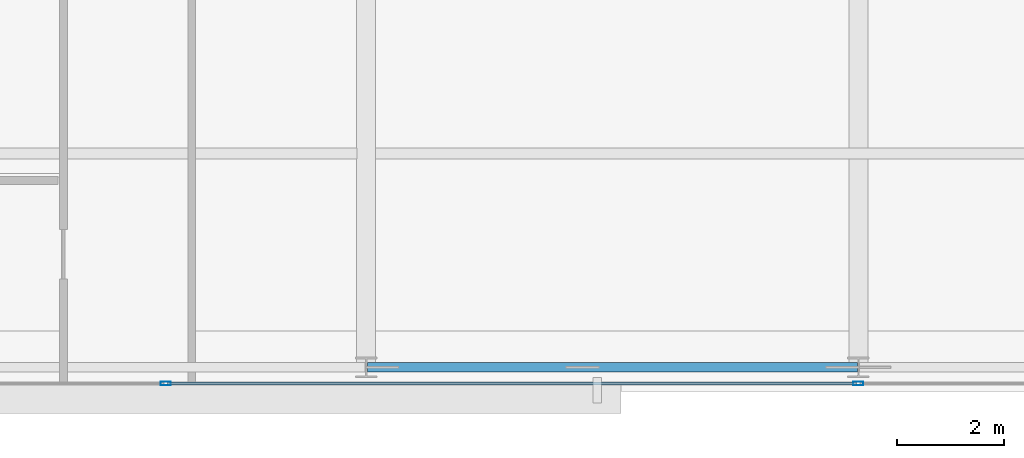
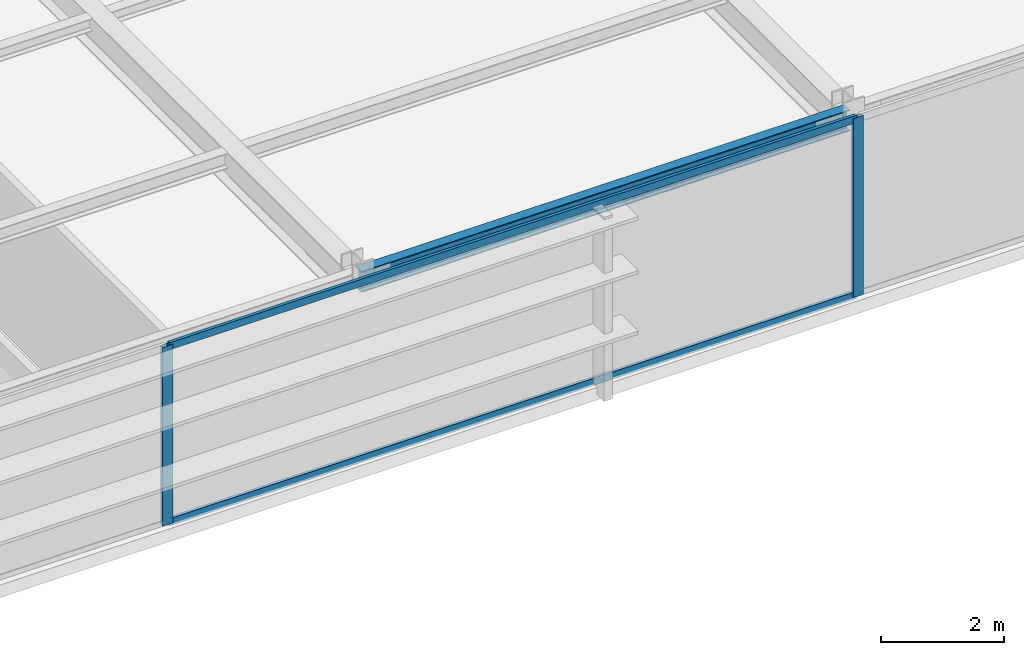
# One storey, part 8 of 32: 4 members, 1 beam, 1 element without a shape of its own.
"""IFC4 building model written with IfcOpenShell, lengths in metres."""

from ifc_helpers import new_model, si_unit, direction, frame, origin, origin_2d, place, context, subcontext, project, spatial, hollow_rectangle, i_section, extrude, source, transform, mapped, material, layer, layer_set, material_profile, profile_set, type_object, type_shapes, element, aggregate, save


model = new_model("IFC4")

# Units and contexts
model_context = context("Model", 3, precision=1e-05, world=origin(), true_north=direction((0.0, 1.0)))
body_context = subcontext(model_context, "Body", "Model", "MODEL_VIEW")
ifc_project = project(units=[si_unit("LENGTHUNIT", "METRE"), si_unit("AREAUNIT", "SQUARE_METRE"), si_unit("VOLUMEUNIT", "CUBIC_METRE"), si_unit("PLANEANGLEUNIT", "RADIAN"), si_unit("MASSUNIT", "GRAM", prefix="KILO")], contexts=[model_context])

# Site, building, storey
site_placement = place(None, origin())
site = spatial("IfcSite", under=ifc_project, at=site_placement, CompositionType="ELEMENT")
building_placement = place(site_placement, origin())
building = spatial("IfcBuilding", under=site, at=building_placement, Name="Varnel Quay Broadcast Tower", CompositionType="ELEMENT")
storey_placement = place(building_placement, frame((0.0, 0.0, 90.800048828125)))
storey = spatial("IfcBuildingStorey", under=building, at=storey_placement, Name="L21", CompositionType="ELEMENT", Elevation=90.800048828125)

# Beam
ifc_material_1 = material(Name="Structural Steel CSA G40.21 350W", Category="steel")
ifc_material_profile_1 = material_profile(ifc_material_1, i_section(OverallWidth=0.180908203125, OverallDepth=0.4169921875, WebThickness=0.010986328125, FlangeThickness=0.018310546875, FilletRadius=0.011962890625, at=origin_2d()), Name="W410X85")
ifc_profile_set_1 = profile_set([ifc_material_profile_1], Name="Structural Steel CSA G40.21 350W")
beam_type = type_object("IfcBeamType", Name="Beam_W410X85", PredefinedType="SPANDREL", material=ifc_profile_set_1)
shared_shape_1 = source(origin(), body_context, "Body", "SweptSolid", [
    extrude(i_section(OverallWidth=0.180908203125, OverallDepth=0.4169921875, WebThickness=0.010986328125, FlangeThickness=0.018310546875, FilletRadius=0.011962890625, at=origin_2d()), origin(), (0.0, 0.0, 1.0), 9.159912109375),
])
type_shapes(beam_type, [shared_shape_1])
beam_placement = place(storey_placement, frame((24.820068359375, 4.64990234375, 3.341552734375), z_axis=(1.0, 0.0, 0.0), x_axis=(0.0, 1.0, 0.0)))
element("IfcBeam", 1, at=beam_placement, inside=storey, type_object=beam_type, Name="L21 South Spandrel TC-S2-TC-S3", PredefinedType="SPANDREL", context=body_context, shape_type="MappedRepresentation", body=[
    mapped(shared_shape_1, transform((0.0, 0.0, 0.0), x_axis=(1.0, 0.0, 0.0), y_axis=(0.0, 1.0, 0.0), z_axis=(0.0, 0.0, 1.0), scale=1.0)),
])

# Curtain wall, members
ifc_material_2 = material(Name="Anodised Bronze Aluminium 6063-T6", Category="aluminium")
ifc_layer = layer(ifc_material_2, 0.18994140625, Name="Anodised Bronze Aluminium 6063-T6")
ifc_layer_set = layer_set([ifc_layer], Name="Anodised Bronze Aluminium 6063-T6")
curtain_wall_type = type_object("IfcCurtainWallType", Name="CW_LowerTower", PredefinedType="NOTDEFINED", material=ifc_layer_set)
curtain_wall_placement = place(storey_placement, origin())
curtain_wall = element("IfcCurtainWall", 2, at=curtain_wall_placement, inside=storey, type_object=curtain_wall_type, Name="L21 South Unitised Curtain Wall 1", PredefinedType="NOTDEFINED")
ifc_material_profile_2 = material_profile(ifc_material_2, hollow_rectangle(XDim=0.070068359375, YDim=0.18994140625, WallThickness=0.00390625, at=origin_2d()), Name="ALU70X190X4")
ifc_profile_set_2 = profile_set([ifc_material_profile_2], Name="Anodised Bronze Aluminium 6063-T6")
member_type_1 = type_object("IfcMemberType", Name="Mull_CWS-02", PredefinedType="MULLION", material=ifc_profile_set_2)
shared_shape_2 = source(origin(), body_context, "Body", "SweptSolid", [
    extrude(hollow_rectangle(XDim=0.070068359375, YDim=0.18994140625, WallThickness=0.00390625, at=origin_2d()), origin(), (0.0, 0.0, 1.0), 3.550048828125),
])
type_shapes(member_type_1, [shared_shape_2])
member_1_placement = place(storey_placement, frame((21.050048828125, 4.35009765625, 0.0), z_axis=(0.0, 0.0, 1.0), x_axis=(0.0, 1.0, 0.0)))
member_1 = element("IfcMember", 3, at=member_1_placement, type_object=member_type_1, Name="CWS-02 mullion 2", PredefinedType="MULLION", context=body_context, shape_type="MappedRepresentation", body=[
    mapped(shared_shape_2, transform((0.0, 0.0, 0.0), x_axis=(1.0, 0.0, 0.0), y_axis=(0.0, 1.0, 0.0), z_axis=(0.0, 0.0, 1.0), scale=1.0)),
])
member_2_placement = place(storey_placement, frame((34.0, 4.35009765625, 0.0), z_axis=(0.0, 0.0, 1.0), x_axis=(0.0, 1.0, 0.0)))
member_2 = element("IfcMember", 4, at=member_2_placement, type_object=member_type_1, Name="CWS-02 mullion 3", PredefinedType="MULLION", context=body_context, shape_type="MappedRepresentation", body=[
    mapped(shared_shape_2, transform((0.0, 0.0, 0.0), x_axis=(1.0, 0.0, 0.0), y_axis=(0.0, 1.0, 0.0), z_axis=(0.0, 0.0, 1.0), scale=1.0)),
])
ifc_material_profile_3 = material_profile(ifc_material_2, hollow_rectangle(XDim=0.06005859375, YDim=0.14501953125, WallThickness=0.00341796875, at=origin_2d()), Name="ALU60X145X3.5")
ifc_profile_set_3 = profile_set([ifc_material_profile_3], Name="Anodised Bronze Aluminium 6063-T6")
member_type_2 = type_object("IfcMemberType", Name="Tran_CWS-02", PredefinedType="USERDEFINED", material=ifc_profile_set_3)
shared_shape_3 = source(origin(), body_context, "Body", "SweptSolid", [
    extrude(hollow_rectangle(XDim=0.06005859375, YDim=0.14501953125, WallThickness=0.00341796875, at=origin_2d()), origin(), (0.0, 0.0, 1.0), 12.880126953125),
])
type_shapes(member_type_2, [shared_shape_3])
member_3_placement = place(storey_placement, frame((21.0849609375, 4.35009765625, 0.030029296875), z_axis=(1.0, 0.0, 0.0), x_axis=(0.0, 1.0, 0.0)))
member_3 = element("IfcMember", 5, at=member_3_placement, type_object=member_type_2, Name="CWS-02 transom 2.1", ObjectType="TRANSOM", PredefinedType="USERDEFINED", context=body_context, shape_type="MappedRepresentation", body=[
    mapped(shared_shape_3, transform((0.0, 0.0, 0.0), x_axis=(1.0, 0.0, 0.0), y_axis=(0.0, 1.0, 0.0), z_axis=(0.0, 0.0, 1.0), scale=1.0)),
])
member_4_placement = place(storey_placement, frame((21.0849609375, 4.35009765625, 3.52001953125), z_axis=(1.0, 0.0, 0.0), x_axis=(0.0, 1.0, 0.0)))
member_4 = element("IfcMember", 6, at=member_4_placement, type_object=member_type_2, Name="CWS-02 transom 2.2", ObjectType="TRANSOM", PredefinedType="USERDEFINED", context=body_context, shape_type="MappedRepresentation", body=[
    mapped(shared_shape_3, transform((0.0, 0.0, 0.0), x_axis=(1.0, 0.0, 0.0), y_axis=(0.0, 1.0, 0.0), z_axis=(0.0, 0.0, 1.0), scale=1.0)),
])
aggregate(curtain_wall, [member_1, member_2, member_3, member_4])

save(model, "model.ifc")
